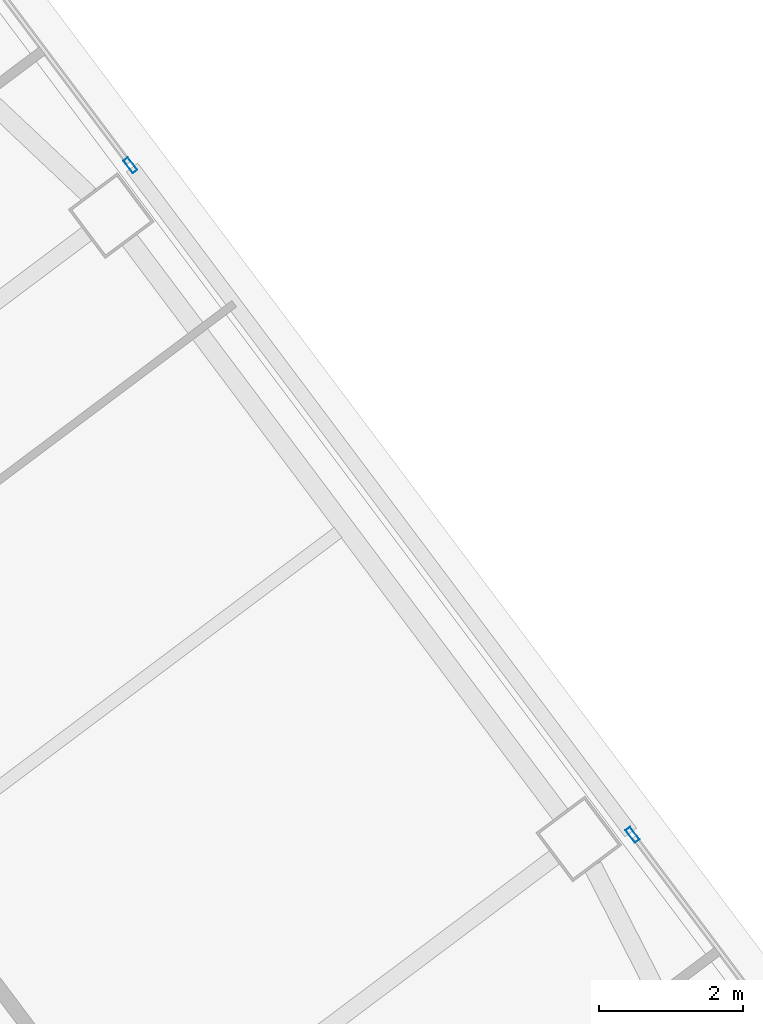
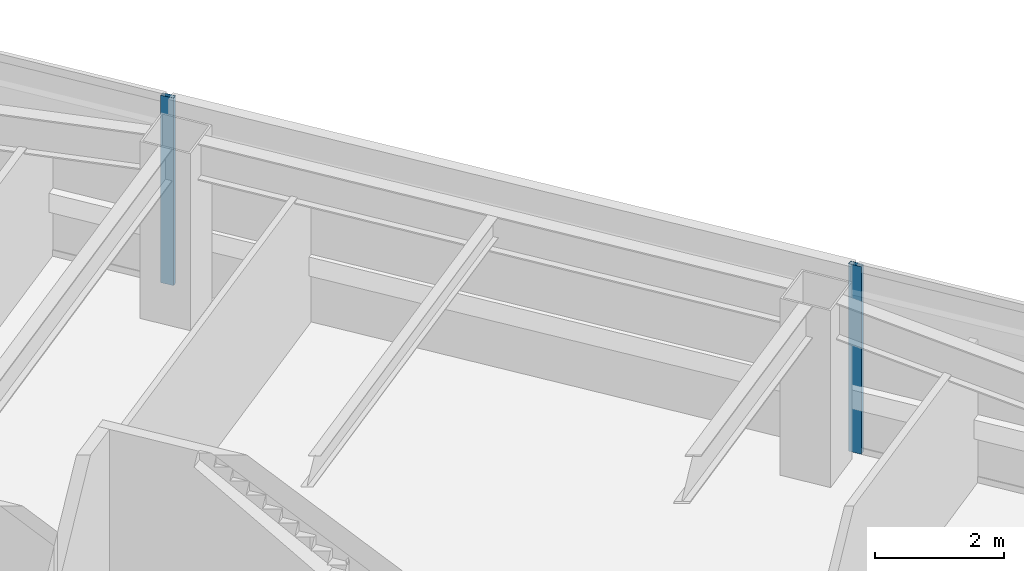
# One storey, part 31 of 44: 2 members, 2 elements without a shape of their own.
"""IFC4 building model written with IfcOpenShell, lengths in metres."""

from ifc_helpers import new_model, si_unit, direction, frame, origin, origin_2d, place, context, subcontext, project, spatial, hollow_rectangle, extrude, material, material_profile, profile_set, type_object, element, aggregate, save


model = new_model("IFC4")

# Units and contexts
model_context = context("Model", 3, precision=1e-05, world=origin(), true_north=direction((0.0, 1.0)))
body_context = subcontext(model_context, "Body", "Model", "MODEL_VIEW")
ifc_project = project(units=[si_unit("LENGTHUNIT", "METRE"), si_unit("AREAUNIT", "SQUARE_METRE"), si_unit("VOLUMEUNIT", "CUBIC_METRE"), si_unit("PLANEANGLEUNIT", "RADIAN"), si_unit("MASSUNIT", "GRAM", prefix="KILO")], contexts=[model_context])

# Site, building, storey
site_placement = place(None, origin())
site = spatial("IfcSite", under=ifc_project, at=site_placement, CompositionType="ELEMENT")
building_placement = place(site_placement, origin())
building = spatial("IfcBuilding", under=site, at=building_placement, Name="Tashvorn Skyway Center", CompositionType="ELEMENT")
storey_placement = place(building_placement, frame((0.0, 0.0, 102.699951171875)))
storey = spatial("IfcBuildingStorey", under=building, at=storey_placement, Name="L27", CompositionType="ELEMENT", Elevation=102.699951171875)

# Curtain wall, member
ifc_material = material(Name="Thermally broken bronze-anodized aluminium 6063-T6", Category="aluminium")
curtain_wall_type = type_object("IfcCurtainWallType", Name="CW-CW-Z2", PredefinedType="NOTDEFINED", material=ifc_material)
curtain_wall_1_placement = place(storey_placement, origin())
curtain_wall_1 = element("IfcCurtainWall", 1, at=curtain_wall_1_placement, inside=storey, type_object=curtain_wall_type, Name="Tower 2 L27 East Unitised Curtain Wall Glazing Group 1", PredefinedType="NOTDEFINED")
ifc_material_profile = material_profile(ifc_material, hollow_rectangle(XDim=0.080078125, YDim=0.219970703125, WallThickness=0.0048828125, at=origin_2d()), Name="ALU-MULL-80x220")
ifc_profile_set = profile_set([ifc_material_profile], Name="Thermally broken bronze-anodized aluminium 6063-T6")
member_type = type_object("IfcMemberType", Name="CWM-CW-Z2", PredefinedType="MULLION", material=ifc_profile_set)
member_1_placement = place(storey_placement, frame((126.424072265625, 48.568115234375, 0.0), z_axis=(0.0, 0.0, 1.0), x_axis=(0.799999999998, 0.600000000002, 0.0)))
member_1 = element("IfcMember", 2, at=member_1_placement, type_object=member_type, Name="CW-Z2 mullion 2", PredefinedType="MULLION", context=body_context, shape_type="SweptSolid", body=[
    extrude(hollow_rectangle(XDim=0.080078125, YDim=0.219970703125, WallThickness=0.0048828125, at=origin_2d()), origin(), (0.0, 0.0, 1.0), 3.550048828125),
])
aggregate(curtain_wall_1, [member_1])

curtain_wall_2_placement = place(storey_placement, origin())
curtain_wall_2 = element("IfcCurtainWall", 3, at=curtain_wall_2_placement, inside=storey, type_object=curtain_wall_type, Name="Tower 2 L27 East Unitised Curtain Wall Glazing Group 2", PredefinedType="NOTDEFINED")
member_2_placement = place(storey_placement, frame((133.384033203125, 39.2880859375, 0.0), z_axis=(0.0, 0.0, 1.0), x_axis=(0.799999999998, 0.600000000002, 0.0)))
member_2 = element("IfcMember", 4, at=member_2_placement, type_object=member_type, Name="CW-Z2 mullion 1", PredefinedType="MULLION", context=body_context, shape_type="SweptSolid", body=[
    extrude(hollow_rectangle(XDim=0.080078125, YDim=0.219970703125, WallThickness=0.0048828125, at=origin_2d()), origin(), (0.0, 0.0, 1.0), 3.550048828125),
])
aggregate(curtain_wall_2, [member_2])

save(model, "model.ifc")
